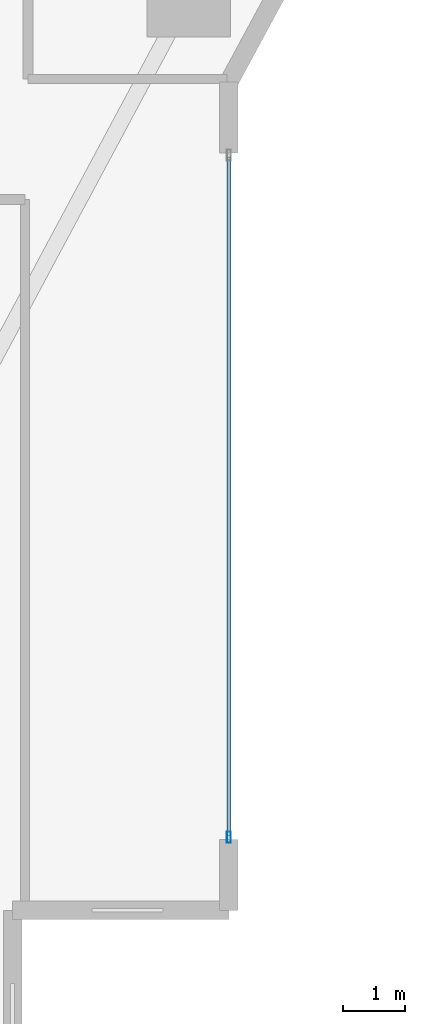
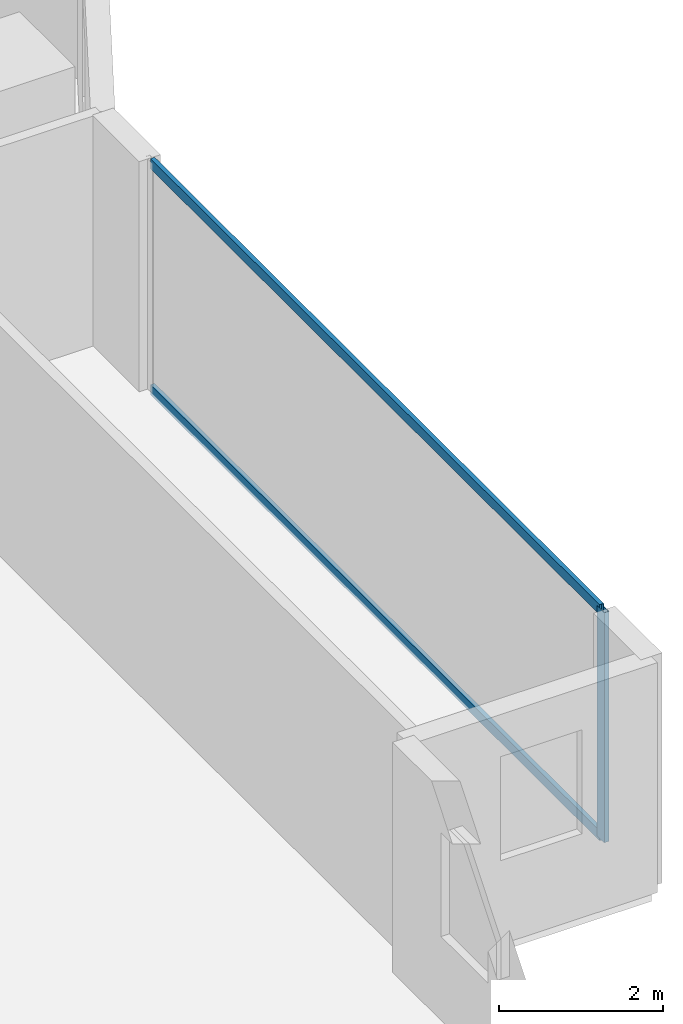
# One storey, part 11 of 28: 3 members, 1 element without a shape of its own.
"""IFC4 building model written with IfcOpenShell, lengths in metres."""

from ifc_helpers import new_model, si_unit, direction, frame, origin, origin_2d, place, context, subcontext, project, spatial, hollow_rectangle, extrude, material, layer, layer_set, material_profile, profile_set, type_object, element, aggregate, save


model = new_model("IFC4")

# Units and contexts
model_context = context("Model", 3, precision=1e-05, world=origin(), true_north=direction((0.0, 1.0)))
body_context = subcontext(model_context, "Body", "Model", "MODEL_VIEW")
ifc_project = project(units=[si_unit("LENGTHUNIT", "METRE"), si_unit("AREAUNIT", "SQUARE_METRE"), si_unit("VOLUMEUNIT", "CUBIC_METRE"), si_unit("PLANEANGLEUNIT", "RADIAN"), si_unit("MASSUNIT", "GRAM", prefix="KILO")], contexts=[model_context])

# Site, building, storey
site_placement = place(None, origin())
site = spatial("IfcSite", under=ifc_project, at=site_placement, CompositionType="ELEMENT")
building_placement = place(site_placement, origin())
building = spatial("IfcBuilding", under=site, at=building_placement, Name="Zuhayl Quay Hotel", CompositionType="ELEMENT")
storey_placement = place(building_placement, frame((0.0, 0.0, 99.300048828125)))
storey = spatial("IfcBuildingStorey", under=building, at=storey_placement, Name="L24", CompositionType="ELEMENT", Elevation=99.300048828125)

# Curtain wall, members
ifc_material_1 = material(Name="Anodised Aluminium 6063-T6", Category="aluminium")
ifc_layer = layer(ifc_material_1, 0.179931640625, Name="Anodised Aluminium 6063-T6", Category="aluminium")
ifc_layer_set = layer_set([ifc_layer], Name="Anodised Aluminium 6063-T6")
curtain_wall_type = type_object("IfcCurtainWallType", Name="CW_SYS_Z2", PredefinedType="USERDEFINED", material=ifc_layer_set)
curtain_wall_placement = place(storey_placement, origin())
curtain_wall = element("IfcCurtainWall", 1, at=curtain_wall_placement, inside=storey, type_object=curtain_wall_type, Name="L24 Curtain Wall ENV_L24_E14_CW1", ObjectType="UNITISED CURTAIN WALL", PredefinedType="USERDEFINED")
ifc_material_2 = material(Name="Black-anodised aluminium 6063-T6", Category="aluminium")
ifc_material_profile_1 = material_profile(ifc_material_2, hollow_rectangle(XDim=0.06494140625, YDim=0.179931640625, WallThickness=0.00341796875, at=origin_2d()), Name="ALU180X65")
ifc_profile_set_1 = profile_set([ifc_material_profile_1], Name="Black-anodised aluminium 6063-T6")
member_type_1 = type_object("IfcMemberType", Name="MB_CW_MUL_180", PredefinedType="MULLION", material=ifc_profile_set_1)
member_1_placement = place(storey_placement, frame((23.89990234375, -10.717529296875, 0.0), z_axis=(0.0, 0.0, 1.0), x_axis=(1.0, 0.0, 0.0)))
member_1 = element("IfcMember", 2, at=member_1_placement, type_object=member_type_1, Name="CW-Z2 mullion 2", PredefinedType="MULLION", context=body_context, shape_type="SweptSolid", body=[
    extrude(hollow_rectangle(XDim=0.06494140625, YDim=0.179931640625, WallThickness=0.00341796875, at=origin_2d()), origin(), (0.0, 0.0, 1.0), 3.429931640625),
])
ifc_material_profile_2 = material_profile(ifc_material_2, hollow_rectangle(XDim=0.06005859375, YDim=0.14990234375, WallThickness=0.00341796875, at=origin_2d()), Name="ALU150X60")
ifc_profile_set_2 = profile_set([ifc_material_profile_2], Name="Black-anodised aluminium 6063-T6")
member_type_2 = type_object("IfcMemberType", Name="MB_CW_TRN_150", PredefinedType="USERDEFINED", material=ifc_profile_set_2)
member_2_placement = place(storey_placement, frame((23.89990234375, 0.284912109375, 0.030029296875), z_axis=(0.0, -1.0, 0.0), x_axis=(1.0, 0.0, 0.0)))
member_2 = element("IfcMember", 3, at=member_2_placement, type_object=member_type_2, Name="CW-Z2 transom 1.1", ObjectType="TRANSOM", PredefinedType="USERDEFINED", context=body_context, shape_type="SweptSolid", body=[
    extrude(hollow_rectangle(XDim=0.06005859375, YDim=0.14990234375, WallThickness=0.00341796875, at=origin_2d()), origin(), (0.0, 0.0, 1.0), 10.969970703125),
])
member_3_placement = place(storey_placement, frame((23.89990234375, 0.284912109375, 3.39990234375), z_axis=(0.0, -1.0, 0.0), x_axis=(1.0, 0.0, 0.0)))
member_3 = element("IfcMember", 4, at=member_3_placement, type_object=member_type_2, Name="CW-Z2 transom 1.2", ObjectType="TRANSOM", PredefinedType="USERDEFINED", context=body_context, shape_type="SweptSolid", body=[
    extrude(hollow_rectangle(XDim=0.06005859375, YDim=0.14990234375, WallThickness=0.00341796875, at=origin_2d()), origin(), (0.0, 0.0, 1.0), 10.969970703125),
])
aggregate(curtain_wall, [member_1, member_2, member_3])

save(model, "model.ifc")
